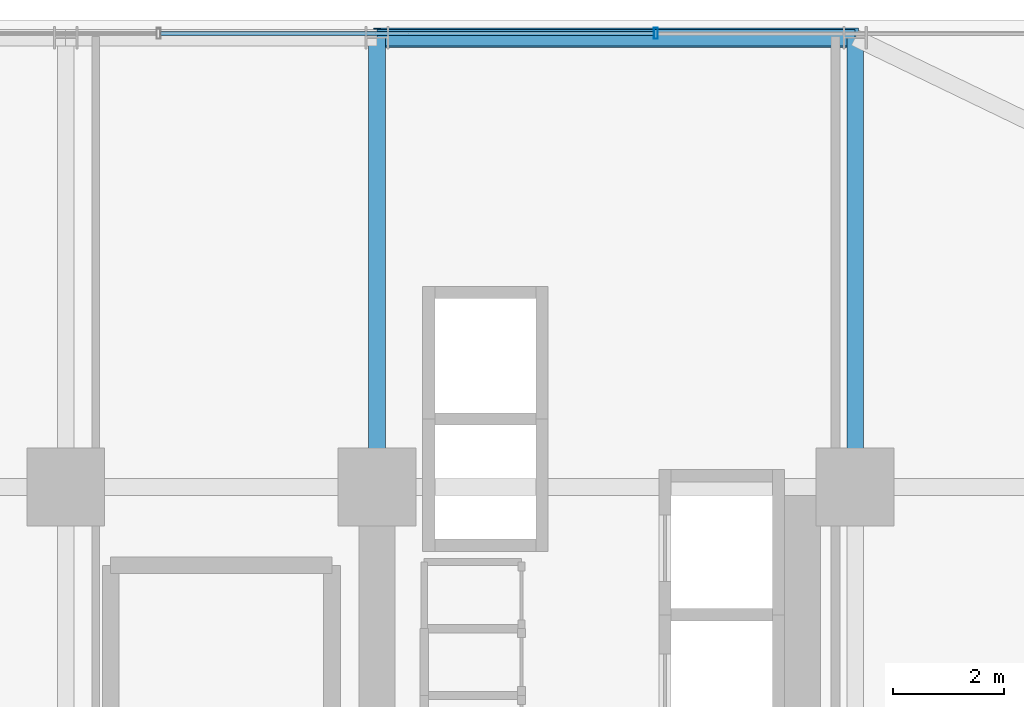
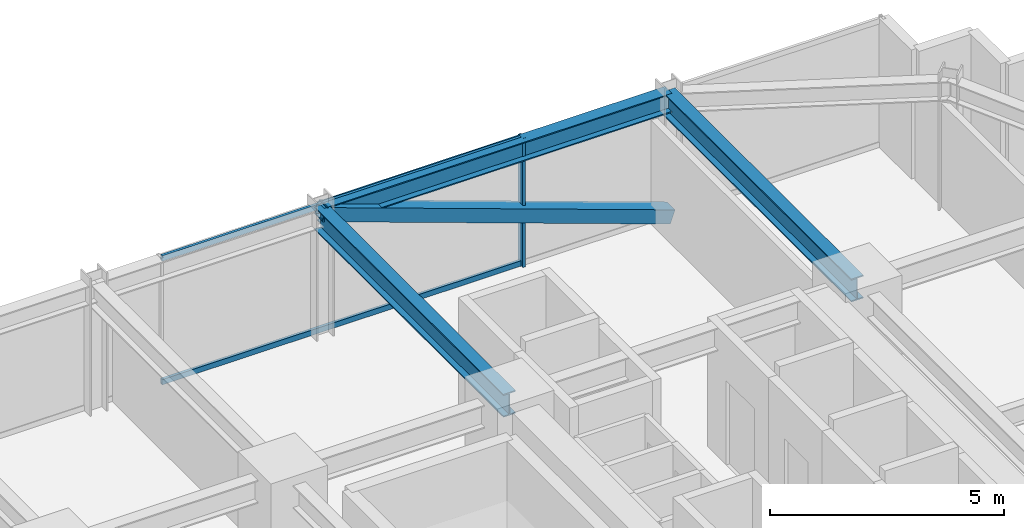
# One storey, part 26 of 35: 4 members, 3 beams, 1 element without a shape of its own.
"""IFC4 building model written with IfcOpenShell, lengths in metres."""

from ifc_helpers import new_model, si_unit, direction, frame, origin, origin_2d, place, context, subcontext, project, spatial, hollow_rectangle, i_section, extrude, source, transform, mapped, material, material_profile, profile_set, type_object, element, aggregate, save


model = new_model("IFC4")

# Units and contexts
model_context = context("Model", 3, precision=1e-05, world=origin(), true_north=direction((0.0, 1.0)))
body_context = subcontext(model_context, "Body", "Model", "MODEL_VIEW")
ifc_project = project(units=[si_unit("LENGTHUNIT", "METRE"), si_unit("AREAUNIT", "SQUARE_METRE"), si_unit("VOLUMEUNIT", "CUBIC_METRE"), si_unit("PLANEANGLEUNIT", "RADIAN"), si_unit("MASSUNIT", "GRAM", prefix="KILO")], contexts=[model_context])

# Site, building, storey
site_placement = place(None, origin())
site = spatial("IfcSite", under=ifc_project, at=site_placement, CompositionType="ELEMENT")
building_placement = place(site_placement, origin())
building = spatial("IfcBuilding", under=site, at=building_placement, Name="Nahalor Promenade Grand Hotel", CompositionType="ELEMENT")
storey_placement = place(building_placement, frame((0.0, 0.0, 43.35009765625)))
storey = spatial("IfcBuildingStorey", under=building, at=storey_placement, Name="L09", CompositionType="ELEMENT", Elevation=43.35009765625)

# Beams
ifc_material_1 = material(Name="Steel S355JR", Category="steel")
ifc_material_profile_1 = material_profile(ifc_material_1, i_section(OverallWidth=0.3, OverallDepth=0.5, WebThickness=0.0145, FlangeThickness=0.028, at=origin_2d()), Name="HEB 500")
ifc_profile_set_1 = profile_set([ifc_material_profile_1], Name="Steel S355JR")
beam_type_1 = type_object("IfcBeamType", Name="Beam-Spandrel-HEB500", PredefinedType="SPANDREL", material=ifc_profile_set_1)
shared_shape_1 = source(origin(), body_context, "Body", "SweptSolid", [
    extrude(i_section(OverallWidth=0.3, OverallDepth=0.5, WebThickness=0.0145, FlangeThickness=0.028, at=origin_2d()), origin(), (0.0, 0.0, 1.0), 8.60009765625),
])
beam_placement = place(storey_placement, frame((8.39990234375, 25.080078125, 3.119873046875), z_axis=(1.0, 0.0, 0.0), x_axis=(0.0, 1.0, 0.0)))
element("IfcBeam", 1, at=beam_placement, inside=storey, type_object=beam_type_1, Name="BM-L09-SP-N-4", PredefinedType="SPANDREL", context=body_context, shape_type="MappedRepresentation", body=[
    mapped(shared_shape_1, transform((0.0, 0.0, 0.0), scale=1.0)),
])
ifc_material_profile_2 = material_profile(ifc_material_1, i_section(OverallWidth=0.3, OverallDepth=0.6, WebThickness=0.0155, FlangeThickness=0.03, at=origin_2d()), Name="HEB 600")
ifc_profile_set_2 = profile_set([ifc_material_profile_2], Name="Steel S355JR")
beam_type_2 = type_object("IfcBeamType", Name="Beam-Girder-HEB600", PredefinedType="BEAM", material=ifc_profile_set_2)
shared_shape_2 = source(origin(), body_context, "Body", "SweptSolid", [
    extrude(i_section(OverallWidth=0.3, OverallDepth=0.6, WebThickness=0.0155, FlangeThickness=0.03, at=origin_2d()), origin(), (0.0, 0.0, 1.0), 8.080078125),
])
for number, where, z_axis, x_axis, name in (
    (2, (8.39990234375, 17.0, 3.06982421875), (0.0, 1.0, 0.0), (-1.0, 0.0, 0.0), "BM-L09-GY-4-4"),
    (3, (17.0, 17.0, 3.06982421875), (0.0, 1.0, 0.0), (-1.0, 0.0, 0.0), "BM-L09-GY-5-4"),
):
    element("IfcBeam", number, at=place(storey_placement, frame(where, z_axis=z_axis, x_axis=x_axis)), inside=storey, type_object=beam_type_2, Name=name, PredefinedType="BEAM", context=body_context, shape_type="MappedRepresentation", body=[
        mapped(shared_shape_2, transform((0.0, 0.0, 0.0), scale=1.0)),
    ])

# Member
ifc_material_profile_3 = material_profile(ifc_material_1, hollow_rectangle(XDim=0.35, YDim=0.35, WallThickness=0.02, at=origin_2d()), Name="SHS 350x350x20")
ifc_profile_set_3 = profile_set([ifc_material_profile_3], Name="Steel S355JR")
member_type_1 = type_object("IfcMemberType", Name="Mem-VoidBrace-SHS350", PredefinedType="BRACE", material=ifc_profile_set_3)
shared_shape_3 = source(origin(), body_context, "Body", "SweptSolid", [
    extrude(hollow_rectangle(XDim=0.35, YDim=0.35, WallThickness=0.02, at=origin_2d()), origin(), (0.0, 0.0, 1.0), 9.131591796875),
])
member_1_placement = place(storey_placement, frame((17.0, 25.080078125, 0.14990234375), z_axis=(-0.941790292179, 0.0, 0.336200900589), x_axis=(0.0, -1.0, 0.0)))
element("IfcMember", 4, at=member_1_placement, inside=storey, type_object=member_type_1, Name="EXO-L09-N-1", PredefinedType="BRACE", context=body_context, shape_type="MappedRepresentation", body=[
    mapped(shared_shape_3, transform((0.0, 0.0, 0.0), scale=1.0)),
])

# Curtain wall, members
ifc_material_2 = material(Name="Anodised Bronze Aluminium EN AW-6063 T6", Category="aluminium")
curtain_wall_type = type_object("IfcCurtainWallType", Name="CW3 Elliptical-Void Collar Unitised Curtain Wall", PredefinedType="USERDEFINED", material=ifc_material_2)
curtain_wall_placement = place(storey_placement, origin())
curtain_wall = element("IfcCurtainWall", 5, at=curtain_wall_placement, inside=storey, type_object=curtain_wall_type, Name="L09 Curtain Wall CW-L09-N-1", ObjectType="UNITISED_CURTAIN_WALL", PredefinedType="USERDEFINED")
ifc_material_profile_4 = material_profile(ifc_material_2, hollow_rectangle(XDim=0.07, YDim=0.2, WallThickness=0.005, at=origin_2d()), Name="CWM 70x200x5")
ifc_profile_set_4 = profile_set([ifc_material_profile_4], Name="Anodised Bronze Aluminium EN AW-6063 T6")
member_type_2 = type_object("IfcMemberType", Name="CWM3 Void Collar Mullion 70x200", PredefinedType="MULLION", material=ifc_profile_set_4)
shared_shape_4 = source(origin(), body_context, "Body", "SweptSolid", [
    extrude(hollow_rectangle(XDim=0.07, YDim=0.2, WallThickness=0.005, at=origin_2d()), origin(), (0.0, 0.0, 1.0), 3.369873046875),
])
member_2_placement = place(storey_placement, frame((13.416015625, 25.159912109375, 0.0), z_axis=(0.0, 0.0, 1.0), x_axis=(1.0, 0.0, 0.0)))
member_2 = element("IfcMember", 6, at=member_2_placement, type_object=member_type_2, Name="CW-L09-N-1 Mullion 4", PredefinedType="MULLION", context=body_context, shape_type="MappedRepresentation", body=[
    mapped(shared_shape_4, transform((0.0, 0.0, 0.0), scale=1.0)),
])
ifc_material_profile_5 = material_profile(ifc_material_2, hollow_rectangle(XDim=0.07, YDim=0.14, WallThickness=0.004, at=origin_2d()), Name="CWT 70x140x4")
ifc_profile_set_5 = profile_set([ifc_material_profile_5], Name="Anodised Bronze Aluminium EN AW-6063 T6")
member_type_3 = type_object("IfcMemberType", Name="CWT3 Void Collar Transom 70x140", PredefinedType="USERDEFINED", material=ifc_profile_set_5)
shared_shape_5 = source(origin(), body_context, "Body", "SweptSolid", [
    extrude(hollow_rectangle(XDim=0.07, YDim=0.14, WallThickness=0.004, at=origin_2d()), origin(), (0.0, 0.0, 1.0), 8.8740234375),
])
member_3_placement = place(storey_placement, frame((4.507080078125, 25.159912109375, 0.06982421875), z_axis=(1.0, 0.0, 0.0), x_axis=(0.0, 1.0, 0.0)))
member_3 = element("IfcMember", 7, at=member_3_placement, type_object=member_type_3, Name="CW-L09-N-1 Transom 3-0", ObjectType="TRANSOM", PredefinedType="USERDEFINED", context=body_context, shape_type="MappedRepresentation", body=[
    mapped(shared_shape_5, transform((0.0, 0.0, 0.0), scale=1.0)),
])
member_4_placement = place(storey_placement, frame((4.507080078125, 25.159912109375, 3.2998046875), z_axis=(1.0, 0.0, 0.0), x_axis=(0.0, 1.0, 0.0)))
member_4 = element("IfcMember", 8, at=member_4_placement, type_object=member_type_3, Name="CW-L09-N-1 Transom 3-1", ObjectType="TRANSOM", PredefinedType="USERDEFINED", context=body_context, shape_type="MappedRepresentation", body=[
    mapped(shared_shape_5, transform((0.0, 0.0, 0.0), scale=1.0)),
])
aggregate(curtain_wall, [member_2, member_3, member_4])

save(model, "model.ifc")
